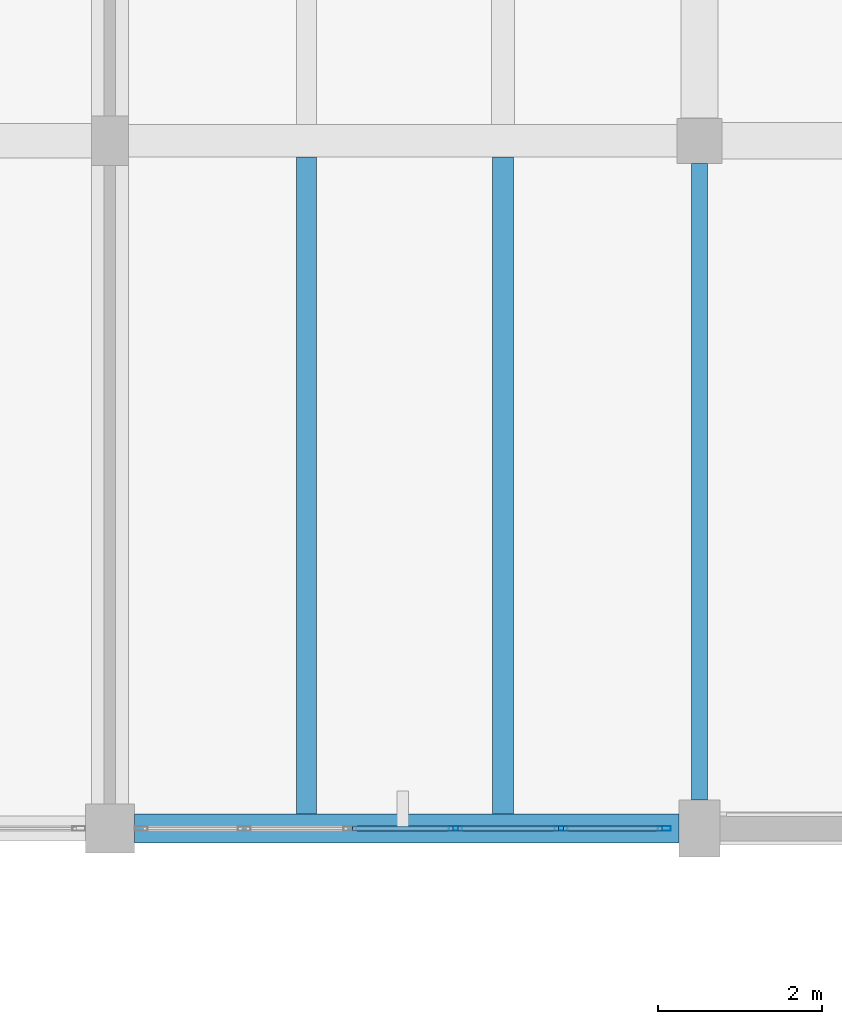
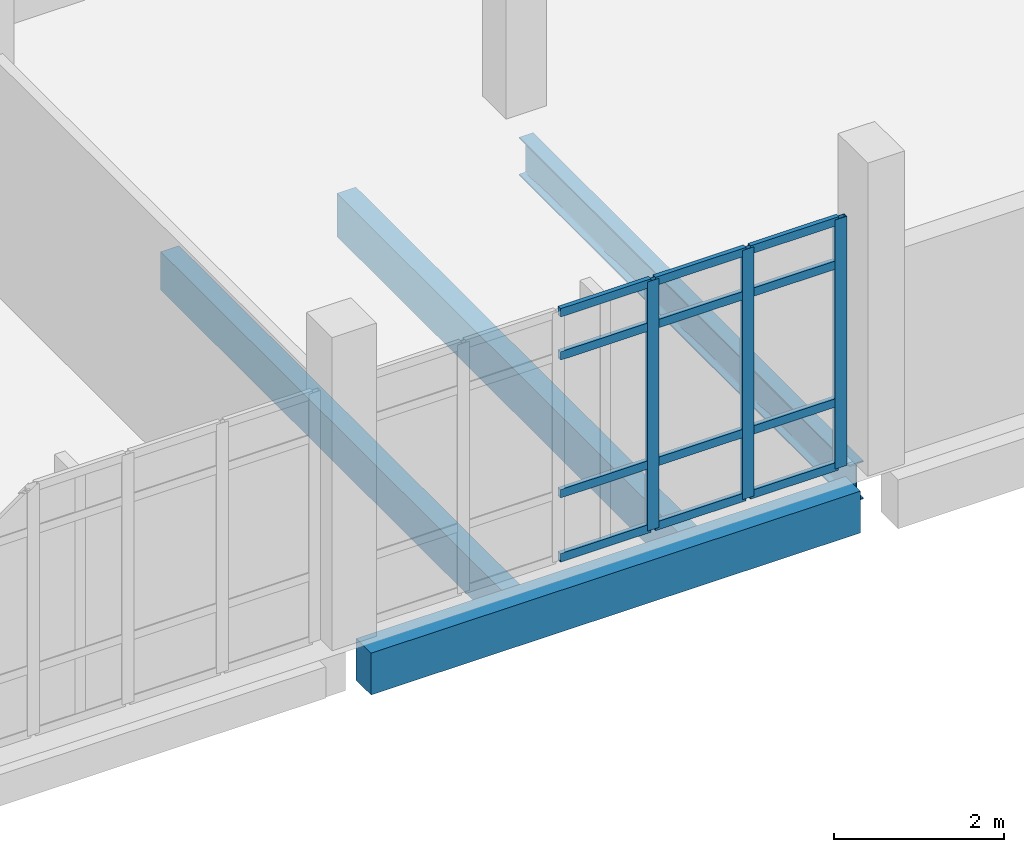
# One storey, part 35 of 62: 15 members, 4 beams, 1 element without a shape of its own.
"""IFC4 building model written with IfcOpenShell, lengths in metres."""

from ifc_helpers import new_model, si_unit, direction, frame, origin, origin_2d, place, context, subcontext, project, spatial, rectangle, hollow_rectangle, i_section, extrude, material, material_profile, profile_set, type_object, element, aggregate, save


model = new_model("IFC4")

# Units and contexts
model_context = context("Model", 3, precision=1e-05, world=origin(), true_north=direction((0.0, 1.0)))
body_context = subcontext(model_context, "Body", "Model", "MODEL_VIEW")
ifc_project = project(units=[si_unit("LENGTHUNIT", "METRE"), si_unit("AREAUNIT", "SQUARE_METRE"), si_unit("VOLUMEUNIT", "CUBIC_METRE"), si_unit("PLANEANGLEUNIT", "RADIAN"), si_unit("MASSUNIT", "GRAM", prefix="KILO")], contexts=[model_context])

# Site, building, storey
site_placement = place(None, origin())
site = spatial("IfcSite", under=ifc_project, at=site_placement, CompositionType="ELEMENT")
building_placement = place(site_placement, origin())
building = spatial("IfcBuilding", under=site, at=building_placement, Name="Kalluvel Institute of Natural Sciences", CompositionType="ELEMENT")
storey_placement = place(building_placement, frame((0.0, 0.0, 27.89990234375)))
storey = spatial("IfcBuildingStorey", under=building, at=storey_placement, Name="L06", CompositionType="ELEMENT", Elevation=27.89990234375)

# Beam
ifc_material_1 = material(Name="Steel E350 Grade 350", Category="steel")
ifc_material_profile_1 = material_profile(ifc_material_1, i_section(OverallWidth=0.18994140625, OverallDepth=0.550048828125, WebThickness=0.01123046875, FlangeThickness=0.019287109375, FilletRadius=0.01806640625, at=origin_2d()), Name="ISMB 550")
ifc_profile_set_1 = profile_set([ifc_material_profile_1], Name="Steel E350 Grade 350")
beam_type_1 = type_object("IfcBeamType", Name="BM-ISMB550", PredefinedType="BEAM", material=ifc_profile_set_1)
beam_1_placement = place(storey_placement, frame((100.39990234375, 103.14990234375, -0.594970703125), z_axis=(0.0, 1.0, 0.0), x_axis=(-1.0, 0.0, 0.0)))
element("IfcBeam", 1, at=beam_1_placement, inside=storey, type_object=beam_type_1, Name="L06 girder GIR-L06-NS-X1004-Y1028", PredefinedType="BEAM", context=body_context, shape_type="SweptSolid", body=[
    extrude(i_section(OverallWidth=0.18994140625, OverallDepth=0.550048828125, WebThickness=0.01123046875, FlangeThickness=0.019287109375, FilletRadius=0.01806640625, at=origin_2d()), origin(), (0.0, 0.0, 1.0), 7.775146484375),
])

# Curtain wall, members
ifc_material_2 = material(Name="Aluminium AW-6063 T6", Category="aluminium")
curtain_wall_type = type_object("IfcCurtainWallType", Name="CW-WET-45", PredefinedType="USERDEFINED", material=ifc_material_2)
curtain_wall_placement = place(storey_placement, origin())
curtain_wall = element("IfcCurtainWall", 2, at=curtain_wall_placement, inside=storey, type_object=curtain_wall_type, Name="L06 Gothic lancet curtain wall CWA-L06-X936-Y1028", ObjectType="UNITISED LANCET FACADE", PredefinedType="USERDEFINED")
ifc_material_profile_2 = material_profile(ifc_material_2, hollow_rectangle(XDim=0.06005859375, YDim=0.159912109375, WallThickness=0.00390625, at=origin_2d()), Name="CWM 60x160")
ifc_profile_set_2 = profile_set([ifc_material_profile_2], Name="Aluminium AW-6063 T6")
member_type_1 = type_object("IfcMemberType", Name="CWM-60x160", PredefinedType="MULLION", material=ifc_profile_set_2)
member_1_placement = place(storey_placement, frame((97.419921875, 102.800048828125, 0.0), z_axis=(0.0, 0.0, 1.0), x_axis=(0.0, 1.0, 0.0)))
member_1 = element("IfcMember", 3, at=member_1_placement, type_object=member_type_1, Name="CW-01 mullion 4", PredefinedType="MULLION", context=body_context, shape_type="SweptSolid", body=[
    extrude(hollow_rectangle(XDim=0.06005859375, YDim=0.159912109375, WallThickness=0.00390625, at=origin_2d()), origin(), (0.0, 0.0, 1.0), 3.580078125),
])
member_2_placement = place(storey_placement, frame((98.7099609375, 102.800048828125, 0.0), z_axis=(0.0, 0.0, 1.0), x_axis=(0.0, 1.0, 0.0)))
member_2 = element("IfcMember", 4, at=member_2_placement, type_object=member_type_1, Name="CW-01 mullion 5", PredefinedType="MULLION", context=body_context, shape_type="SweptSolid", body=[
    extrude(hollow_rectangle(XDim=0.06005859375, YDim=0.159912109375, WallThickness=0.00390625, at=origin_2d()), origin(), (0.0, 0.0, 1.0), 3.580078125),
])
member_3_placement = place(storey_placement, frame((99.969970703125, 102.800048828125, 0.0), z_axis=(0.0, 0.0, 1.0), x_axis=(0.0, 1.0, 0.0)))
member_3 = element("IfcMember", 5, at=member_3_placement, type_object=member_type_1, Name="CW-01 mullion 6", PredefinedType="MULLION", context=body_context, shape_type="SweptSolid", body=[
    extrude(hollow_rectangle(XDim=0.06005859375, YDim=0.159912109375, WallThickness=0.00390625, at=origin_2d()), origin(), (0.0, 0.0, 1.0), 3.580078125),
])
ifc_material_profile_3 = material_profile(ifc_material_2, hollow_rectangle(XDim=0.06005859375, YDim=0.1201171875, WallThickness=0.00390625, at=origin_2d()), Name="CWT 60x120")
ifc_profile_set_3 = profile_set([ifc_material_profile_3], Name="Aluminium AW-6063 T6")
member_type_2 = type_object("IfcMemberType", Name="CWT-60x120", PredefinedType="USERDEFINED", material=ifc_profile_set_3)
member_4_placement = place(storey_placement, frame((96.159912109375, 102.800048828125, 0.030029296875), z_axis=(1.0, 0.0, 0.0), x_axis=(0.0, 1.0, 0.0)))
member_4 = element("IfcMember", 6, at=member_4_placement, type_object=member_type_2, Name="CW-01 transom 3.1", ObjectType="TRANSOM", PredefinedType="USERDEFINED", context=body_context, shape_type="SweptSolid", body=[
    extrude(hollow_rectangle(XDim=0.06005859375, YDim=0.1201171875, WallThickness=0.00390625, at=origin_2d()), origin(), (0.0, 0.0, 1.0), 1.22998046875),
])
member_5_placement = place(storey_placement, frame((96.159912109375, 102.800048828125, 0.9501953125), z_axis=(1.0, 0.0, 0.0), x_axis=(0.0, 1.0, 0.0)))
member_5 = element("IfcMember", 7, at=member_5_placement, type_object=member_type_2, Name="CW-01 transom 3.2", ObjectType="TRANSOM", PredefinedType="USERDEFINED", context=body_context, shape_type="SweptSolid", body=[
    extrude(hollow_rectangle(XDim=0.06005859375, YDim=0.1201171875, WallThickness=0.00390625, at=origin_2d()), origin(), (0.0, 0.0, 1.0), 1.22998046875),
])
member_6_placement = place(storey_placement, frame((96.159912109375, 102.800048828125, 2.93017578125), z_axis=(1.0, 0.0, 0.0), x_axis=(0.0, 1.0, 0.0)))
member_6 = element("IfcMember", 8, at=member_6_placement, type_object=member_type_2, Name="CW-01 transom 3.3", ObjectType="TRANSOM", PredefinedType="USERDEFINED", context=body_context, shape_type="SweptSolid", body=[
    extrude(hollow_rectangle(XDim=0.06005859375, YDim=0.1201171875, WallThickness=0.00390625, at=origin_2d()), origin(), (0.0, 0.0, 1.0), 1.22998046875),
])
member_7_placement = place(storey_placement, frame((96.159912109375, 102.800048828125, 3.550048828125), z_axis=(1.0, 0.0, 0.0), x_axis=(0.0, 1.0, 0.0)))
member_7 = element("IfcMember", 9, at=member_7_placement, type_object=member_type_2, Name="CW-01 transom 3.4", ObjectType="TRANSOM", PredefinedType="USERDEFINED", context=body_context, shape_type="SweptSolid", body=[
    extrude(hollow_rectangle(XDim=0.06005859375, YDim=0.1201171875, WallThickness=0.00390625, at=origin_2d()), origin(), (0.0, 0.0, 1.0), 1.22998046875),
])
member_8_placement = place(storey_placement, frame((97.449951171875, 102.800048828125, 0.030029296875), z_axis=(1.0, 0.0, 0.0), x_axis=(0.0, 1.0, 0.0)))
member_8 = element("IfcMember", 10, at=member_8_placement, type_object=member_type_2, Name="CW-01 transom 4.1", ObjectType="TRANSOM", PredefinedType="USERDEFINED", context=body_context, shape_type="SweptSolid", body=[
    extrude(hollow_rectangle(XDim=0.06005859375, YDim=0.1201171875, WallThickness=0.00390625, at=origin_2d()), origin(), (0.0, 0.0, 1.0), 1.22998046875),
])
member_9_placement = place(storey_placement, frame((97.449951171875, 102.800048828125, 0.9501953125), z_axis=(1.0, 0.0, 0.0), x_axis=(0.0, 1.0, 0.0)))
member_9 = element("IfcMember", 11, at=member_9_placement, type_object=member_type_2, Name="CW-01 transom 4.2", ObjectType="TRANSOM", PredefinedType="USERDEFINED", context=body_context, shape_type="SweptSolid", body=[
    extrude(hollow_rectangle(XDim=0.06005859375, YDim=0.1201171875, WallThickness=0.00390625, at=origin_2d()), origin(), (0.0, 0.0, 1.0), 1.22998046875),
])
member_10_placement = place(storey_placement, frame((97.449951171875, 102.800048828125, 2.93017578125), z_axis=(1.0, 0.0, 0.0), x_axis=(0.0, 1.0, 0.0)))
member_10 = element("IfcMember", 12, at=member_10_placement, type_object=member_type_2, Name="CW-01 transom 4.3", ObjectType="TRANSOM", PredefinedType="USERDEFINED", context=body_context, shape_type="SweptSolid", body=[
    extrude(hollow_rectangle(XDim=0.06005859375, YDim=0.1201171875, WallThickness=0.00390625, at=origin_2d()), origin(), (0.0, 0.0, 1.0), 1.22998046875),
])
member_11_placement = place(storey_placement, frame((97.449951171875, 102.800048828125, 3.550048828125), z_axis=(1.0, 0.0, 0.0), x_axis=(0.0, 1.0, 0.0)))
member_11 = element("IfcMember", 13, at=member_11_placement, type_object=member_type_2, Name="CW-01 transom 4.4", ObjectType="TRANSOM", PredefinedType="USERDEFINED", context=body_context, shape_type="SweptSolid", body=[
    extrude(hollow_rectangle(XDim=0.06005859375, YDim=0.1201171875, WallThickness=0.00390625, at=origin_2d()), origin(), (0.0, 0.0, 1.0), 1.22998046875),
])
member_12_placement = place(storey_placement, frame((98.739990234375, 102.800048828125, 0.030029296875), z_axis=(1.0, 0.0, 0.0), x_axis=(0.0, 1.0, 0.0)))
member_12 = element("IfcMember", 14, at=member_12_placement, type_object=member_type_2, Name="CW-01 transom 5.1", ObjectType="TRANSOM", PredefinedType="USERDEFINED", context=body_context, shape_type="SweptSolid", body=[
    extrude(hollow_rectangle(XDim=0.06005859375, YDim=0.1201171875, WallThickness=0.00390625, at=origin_2d()), origin(), (0.0, 0.0, 1.0), 1.199951171875),
])
member_13_placement = place(storey_placement, frame((98.739990234375, 102.800048828125, 0.9501953125), z_axis=(1.0, 0.0, 0.0), x_axis=(0.0, 1.0, 0.0)))
member_13 = element("IfcMember", 15, at=member_13_placement, type_object=member_type_2, Name="CW-01 transom 5.2", ObjectType="TRANSOM", PredefinedType="USERDEFINED", context=body_context, shape_type="SweptSolid", body=[
    extrude(hollow_rectangle(XDim=0.06005859375, YDim=0.1201171875, WallThickness=0.00390625, at=origin_2d()), origin(), (0.0, 0.0, 1.0), 1.199951171875),
])
member_14_placement = place(storey_placement, frame((98.739990234375, 102.800048828125, 2.93017578125), z_axis=(1.0, 0.0, 0.0), x_axis=(0.0, 1.0, 0.0)))
member_14 = element("IfcMember", 16, at=member_14_placement, type_object=member_type_2, Name="CW-01 transom 5.3", ObjectType="TRANSOM", PredefinedType="USERDEFINED", context=body_context, shape_type="SweptSolid", body=[
    extrude(hollow_rectangle(XDim=0.06005859375, YDim=0.1201171875, WallThickness=0.00390625, at=origin_2d()), origin(), (0.0, 0.0, 1.0), 1.199951171875),
])
member_15_placement = place(storey_placement, frame((98.739990234375, 102.800048828125, 3.550048828125), z_axis=(1.0, 0.0, 0.0), x_axis=(0.0, 1.0, 0.0)))
member_15 = element("IfcMember", 17, at=member_15_placement, type_object=member_type_2, Name="CW-01 transom 5.4", ObjectType="TRANSOM", PredefinedType="USERDEFINED", context=body_context, shape_type="SweptSolid", body=[
    extrude(hollow_rectangle(XDim=0.06005859375, YDim=0.1201171875, WallThickness=0.00390625, at=origin_2d()), origin(), (0.0, 0.0, 1.0), 1.199951171875),
])
aggregate(curtain_wall, [member_1, member_2, member_3, member_4, member_5, member_6, member_7, member_8, member_9, member_10, member_11, member_12, member_13, member_14, member_15])

# Beams
ifc_material_3 = material(Name="Concrete M40", Category="concrete")
ifc_material_profile_4 = material_profile(ifc_material_3, rectangle(XDim=0.35009765625, YDim=0.60009765625, at=origin_2d()), Name="RCB 350x600")
ifc_profile_set_4 = profile_set([ifc_material_profile_4], Name="Concrete M40")
beam_type_2 = type_object("IfcBeamType", Name="SP-RC350x600", PredefinedType="SPANDREL", material=ifc_profile_set_4)
beam_2_placement = place(storey_placement, frame((93.5, 102.800048828125, -0.619873046875), z_axis=(1.0, 0.0, 0.0), x_axis=(0.0, 1.0, 0.0)))
element("IfcBeam", 18, at=beam_2_placement, inside=storey, type_object=beam_type_2, Name="L06 girder GIR-L06-EW-X932-Y1028", PredefinedType="SPANDREL", context=body_context, shape_type="SweptSolid", body=[
    extrude(rectangle(XDim=0.35009765625, YDim=0.60009765625, at=origin_2d()), origin(), (0.0, 0.0, 1.0), 6.64990234375),
])
ifc_material_profile_5 = material_profile(ifc_material_3, rectangle(XDim=0.25, YDim=0.550048828125, at=origin_2d()), Name="WAF 250x550")
ifc_profile_set_5 = profile_set([ifc_material_profile_5], Name="Concrete M40")
beam_type_3 = type_object("IfcBeamType", Name="WJ-250x550", PredefinedType="JOIST", material=ifc_profile_set_5)
beam_3_placement = place(storey_placement, frame((95.60009765625, 102.97509765625, -0.594970703125), z_axis=(0.0, 1.0, 0.0), x_axis=(-1.0, 0.0, 0.0)))
element("IfcBeam", 19, at=beam_3_placement, inside=storey, type_object=beam_type_3, Name="L06 waffle joist RIB-L06-0500", PredefinedType="JOIST", context=body_context, shape_type="SweptSolid", body=[
    extrude(rectangle(XDim=0.25, YDim=0.550048828125, at=origin_2d()), origin(), (0.0, 0.0, 1.0), 8.02490234375),
])
ifc_material_4 = material(Name="Concrete M50", Category="concrete")
ifc_material_profile_6 = material_profile(ifc_material_4, rectangle(XDim=0.260009765625, YDim=0.6201171875, at=origin_2d()), Name="WAF 260x620")
ifc_profile_set_6 = profile_set([ifc_material_profile_6], Name="Concrete M50")
beam_type_4 = type_object("IfcBeamType", Name="WJ-260x620", PredefinedType="JOIST", material=ifc_profile_set_6)
beam_4_placement = place(storey_placement, frame((98.0, 102.97509765625, -0.6298828125), z_axis=(0.0, 1.0, 0.0), x_axis=(-1.0, 0.0, 0.0)))
element("IfcBeam", 20, at=beam_4_placement, inside=storey, type_object=beam_type_4, Name="L06 waffle joist RIB-L06-0501", PredefinedType="JOIST", context=body_context, shape_type="SweptSolid", body=[
    extrude(rectangle(XDim=0.260009765625, YDim=0.6201171875, at=origin_2d()), origin(), (0.0, 0.0, 1.0), 8.02490234375),
])

save(model, "model.ifc")
